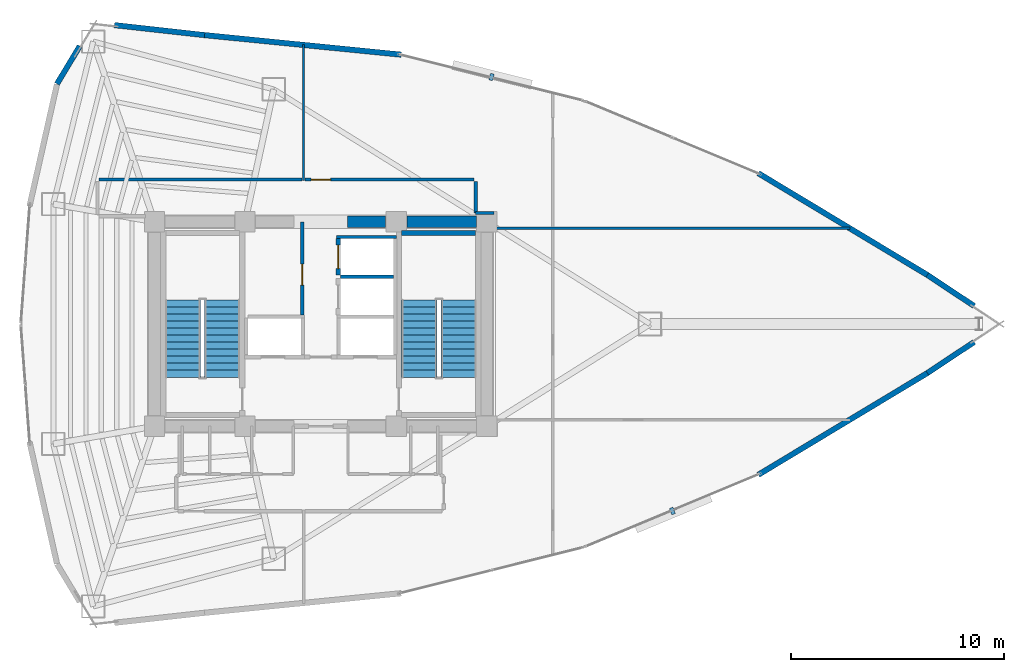
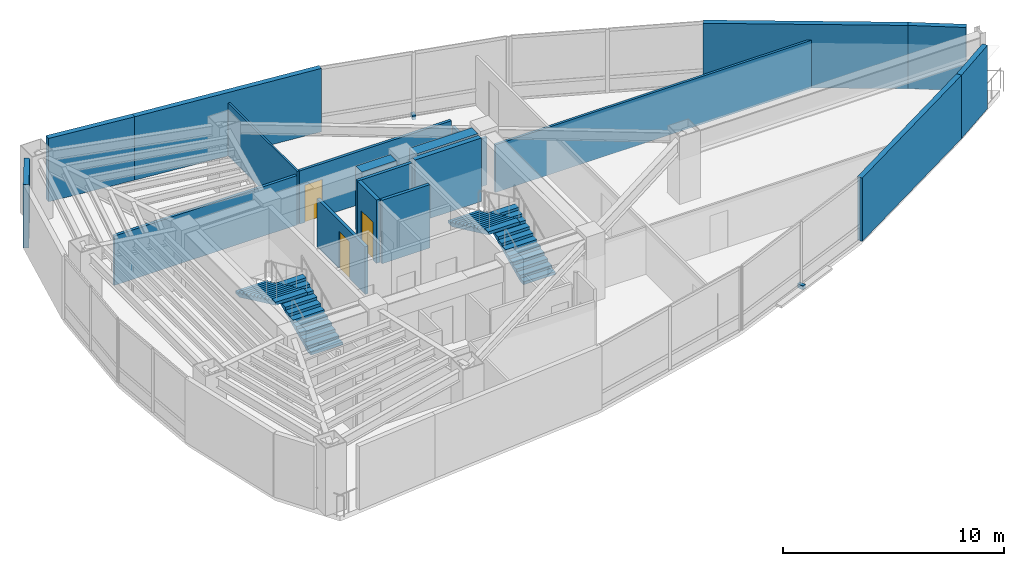
# One storey, part 15 of 17: 20 walls, 4 stair flights, 3 doors, 2 discrete accessories, 3 openings, 2 elements without a shape of their own.
"""IFC4 building model written with IfcOpenShell, lengths in metres."""

import ifcopenshell
import ifcopenshell.guid

model = None  # the IFC model being written
_history = None  # IfcOwnerHistory: only IFC2X3 demands one
_inside = {}  # id of a spatial element -> (the spatial element, [elements in it])
_under = {}  # id of a project, library or spatial element -> (it, [spatial elements below it])
_declared = {}  # id of a project -> (the project, [libraries it declares])
_typed = {}  # id of a type object -> (the type object, [elements of that type])
_made_of = {}  # id of a material, layer set ... -> (it, [elements and type objects made of it])


def new_model(schema):
    """Start an empty IFC model of exactly this schema.

    Asked for "IFC4X3", IfcOpenShell would pick the latest addendum, in which some entities
    have other attributes; the version numbers below select the first issue.
    IFC2X3 requires an IfcOwnerHistory on every rooted entity: one is made here for all.
    """
    global model, _history
    if schema == "IFC4X3":
        model = ifcopenshell.file(schema_version=(4, 3, 0, 0))
    else:
        model = ifcopenshell.file(schema=schema)
    _inside.clear()
    _under.clear()
    _declared.clear()
    _typed.clear()
    _made_of.clear()
    _history = None
    if model.schema == "IFC2X3":
        org = make("IfcOrganization", Name="unknown")
        user = make(
            "IfcPersonAndOrganization",
            ThePerson=make("IfcPerson", FamilyName="unknown"),
            TheOrganization=org,
        )
        app = make(
            "IfcApplication",
            ApplicationDeveloper=org,
            Version="unknown",
            ApplicationFullName="unknown",
            ApplicationIdentifier="unknown",
        )
        _history = make(
            "IfcOwnerHistory",
            OwningUser=user,
            OwningApplication=app,
            ChangeAction="ADDED",
            CreationDate=0,
        )
    return model


def make(cls, **values):
    """One entity of the class cls with the attributes given. An attribute that is None is left unset."""
    return model.create_entity(
        cls, **{name: value for name, value in values.items() if value is not None}
    )


def rooted(cls, **values):
    """An entity with a GlobalId (a new one), such as an element, a storey or a relation."""
    return make(cls, GlobalId=ifcopenshell.guid.new(), OwnerHistory=_history, **values)


def si_unit(unit_type, name, prefix=None):
    """IfcSIUnit, for example si_unit("LENGTHUNIT", "METRE", prefix="MILLI")."""
    return make("IfcSIUnit", UnitType=unit_type, Prefix=prefix, Name=name)


def assignment(units):
    """IfcUnitAssignment: the units of a project."""
    return None if units is None else make("IfcUnitAssignment", Units=units)


def point(xyz):
    """IfcCartesianPoint."""
    return None if xyz is None else make("IfcCartesianPoint", Coordinates=xyz)


def direction(xyz):
    """IfcDirection."""
    return None if xyz is None else make("IfcDirection", DirectionRatios=xyz)


def frame(location, z_axis=None, x_axis=None):
    """IfcAxis2Placement3D, a coordinate frame: its origin and axes. An axis left out is left unset."""
    return make(
        "IfcAxis2Placement3D",
        Location=point(location),
        Axis=direction(z_axis),
        RefDirection=direction(x_axis),
    )


def frame_2d(location, x_axis=None):
    """IfcAxis2Placement2D, a coordinate frame in the plane: its origin and x axis."""
    return make(
        "IfcAxis2Placement2D", Location=point(location), RefDirection=direction(x_axis)
    )


def origin():
    """The frame at (0, 0, 0) with its axes left unset."""
    return frame((0.0, 0.0, 0.0))


def origin_2d():
    """The frame at (0, 0) in the plane with its x axis left unset."""
    return frame_2d((0.0, 0.0))


def place(relative_to, where):
    """IfcLocalPlacement: puts the frame where relative to a parent placement (None: the world)."""
    return make(
        "IfcLocalPlacement", PlacementRelTo=relative_to, RelativePlacement=where
    )


def context(
    kind, dimensions, precision=None, world=None, true_north=None, identifier=None
):
    """IfcGeometricRepresentationContext, for example the 3D "Model" context."""
    return make(
        "IfcGeometricRepresentationContext",
        ContextIdentifier=identifier,
        ContextType=kind,
        CoordinateSpaceDimension=dimensions,
        Precision=precision,
        WorldCoordinateSystem=world,
        TrueNorth=true_north,
    )


def subcontext(parent, identifier, kind, view, scale=None):
    """IfcGeometricRepresentationSubContext, for example "Body" below "Model"."""
    return make(
        "IfcGeometricRepresentationSubContext",
        ContextIdentifier=identifier,
        ContextType=kind,
        ParentContext=parent,
        TargetScale=scale,
        TargetView=view,
    )


def project(units=None, contexts=None):
    """IfcProject with its units and contexts."""
    return rooted(
        "IfcProject",
        Name="project",
        RepresentationContexts=contexts,
        UnitsInContext=assignment(units),
    )


def spatial(cls, under=None, at=None, **own):
    """A site, building, storey or space (cls), placed at a placement, below another one or the project."""
    s = rooted(cls, ObjectPlacement=at, **own)
    if under is not None:
        _under.setdefault(under.id(), (under, []))[1].append(s)
    return s


def polyline(points):
    """IfcPolyline through the points."""
    return make("IfcPolyline", Points=[point(p) for p in points])


def profile(cls, at=None, kind="AREA", **sizes):
    """A parametric profile (cls). Its sizes go by their IFC names, for example OverallWidth=200.0."""
    return make(cls, ProfileType=kind, Position=at, **sizes)


def rectangle(**sizes):
    """IfcRectangleProfileDef."""
    return profile("IfcRectangleProfileDef", **sizes)


def outline(outer, holes=None, kind="AREA"):
    """IfcArbitraryClosedProfileDef: a profile drawn as a closed curve; with holes, ...WithVoids."""
    if holes is None:
        return make("IfcArbitraryClosedProfileDef", ProfileType=kind, OuterCurve=outer)
    return make(
        "IfcArbitraryProfileDefWithVoids",
        ProfileType=kind,
        OuterCurve=outer,
        InnerCurves=holes,
    )


def extrude(swept, where, along, depth):
    """IfcExtrudedAreaSolid: the profile swept, set in the frame where, extruded along a direction by depth."""
    return make(
        "IfcExtrudedAreaSolid",
        SweptArea=swept,
        Position=where,
        ExtrudedDirection=direction(along),
        Depth=depth,
    )


def shape(context_of_items, identifier, shape_type, items):
    """IfcShapeRepresentation: the items that make up one representation, for example the "Body"."""
    return make(
        "IfcShapeRepresentation",
        ContextOfItems=context_of_items,
        RepresentationIdentifier=identifier,
        RepresentationType=shape_type,
        Items=items,
    )


def material(Name=None, Category=None):
    """IfcMaterial."""
    return make("IfcMaterial", Name=Name, Category=Category)


def layer(
    of_material, thickness, ventilated=None, Name=None, Category=None, Priority=None
):
    """IfcMaterialLayer: one layer of a wall or slab, of a material (None: an air gap)."""
    return make(
        "IfcMaterialLayer",
        Material=of_material,
        LayerThickness=thickness,
        IsVentilated=ventilated,
        Name=Name,
        Category=Category,
        Priority=Priority,
    )


def layer_set(layers, Name=None):
    """IfcMaterialLayerSet."""
    return make("IfcMaterialLayerSet", MaterialLayers=layers, LayerSetName=Name)


def made_of(thing, what):
    """Note that an element or type object is made of a material, layer set ...; save() writes the relation."""
    if what is not None:
        _made_of.setdefault(what.id(), (what, []))[1].append(thing)
    return thing


def type_object(cls, material=None, **own):
    """A type object (cls), such as IfcWallType, which elements share."""
    return made_of(rooted(cls, **own), material)


def element(
    cls,
    number,
    at=None,
    inside=None,
    cuts=None,
    type_object=None,
    material=None,
    context=None,
    identifier="Body",
    shape_type=None,
    held_by="IfcProductDefinitionShape",
    body=None,
    shapes=None,
    **own,
):
    """One element of the class cls, such as IfcWall. Its Tag is "e" and its number.

    at: its placement. inside: the storey or other place that contains it. cuts: it is an
    opening in that element (IfcRelVoidsElement). A single representation is given by context,
    identifier, shape_type and body (its items); several are given by shapes. held_by: the class
    of the entity that holds the representations. save() writes the other relations.
    """
    e = rooted(cls, Tag="e%d" % number, ObjectPlacement=at, **own)
    if body is not None:
        shapes = [shape(context, identifier, shape_type, body)]
    if shapes is not None:
        e.Representation = make(held_by, Representations=shapes)
    if inside is not None:
        _inside.setdefault(inside.id(), (inside, []))[1].append(e)
    if cuts is not None:
        rooted(
            "IfcRelVoidsElement", RelatingBuildingElement=cuts, RelatedOpeningElement=e
        )
    if type_object is not None:
        _typed.setdefault(type_object.id(), (type_object, []))[1].append(e)
    return made_of(e, material)


def fill(opening, filler):
    """IfcRelFillsElement: the door or window that sits in an opening."""
    return rooted(
        "IfcRelFillsElement",
        RelatingOpeningElement=opening,
        RelatedBuildingElement=filler,
    )


def aggregate(whole, parts):
    """IfcRelAggregates: a whole, such as a stair, and the parts it consists of."""
    return rooted("IfcRelAggregates", RelatingObject=whole, RelatedObjects=parts)


def save(model, path):
    """Write the relations noted so far, then the file.

    IfcRelAggregates (storeys below a building ...), IfcRelContainedInSpatialStructure (elements
    in a storey), IfcRelDefinesByType, IfcRelAssociatesMaterial and IfcRelDeclares: one each for
    every whole, place, type object, material and project.
    """
    for whole, parts in _under.values():
        aggregate(whole, parts)
    for where, things in _inside.values():
        rooted(
            "IfcRelContainedInSpatialStructure",
            RelatedElements=things,
            RelatingStructure=where,
        )
    for kind, things in _typed.values():
        rooted("IfcRelDefinesByType", RelatedObjects=things, RelatingType=kind)
    for what, things in _made_of.values():
        rooted("IfcRelAssociatesMaterial", RelatedObjects=things, RelatingMaterial=what)
    for by, libraries in _declared.values():
        rooted("IfcRelDeclares", RelatingContext=by, RelatedDefinitions=libraries)
    model.write(path)


model = new_model("IFC4")

# Units and contexts
model_context = context("Model", 3, precision=1e-05, world=origin(), true_north=direction((0.0, 1.0)))
body_context = subcontext(model_context, "Body", "Model", "MODEL_VIEW")
ifc_project = project(units=[si_unit("LENGTHUNIT", "METRE"), si_unit("AREAUNIT", "SQUARE_METRE"), si_unit("VOLUMEUNIT", "CUBIC_METRE"), si_unit("PLANEANGLEUNIT", "RADIAN"), si_unit("MASSUNIT", "GRAM", prefix="KILO")], contexts=[model_context])

# Site, building, storey
site_placement = place(None, origin())
site = spatial("IfcSite", under=ifc_project, at=site_placement, CompositionType="ELEMENT")
building_placement = place(site_placement, origin())
building = spatial("IfcBuilding", under=site, at=building_placement, Name="Menara Vayukalpa", CompositionType="ELEMENT")
storey_placement = place(building_placement, frame((0.0, 0.0, 154.320068359375)))
storey = spatial("IfcBuildingStorey", under=building, at=storey_placement, Name="L38", CompositionType="ELEMENT", Elevation=154.320068359375)

# Walls
ifc_material_1 = material(Name="Concrete C60/75", Category="concrete")
ifc_layer_1 = layer(ifc_material_1, 0.550048828125)
ifc_layer_set_1 = layer_set([ifc_layer_1], Name="Concrete C60/75")
wall_type_1 = type_object("IfcWallType", Name="WAL-CW550", PredefinedType="SHEAR", material=ifc_layer_set_1)
wall_1_placement = place(storey_placement, frame((26.85009765625, 26.800048828125, 0.0), z_axis=(0.0, 0.0, 1.0), x_axis=(1.0, 0.0, 0.0)))
element("IfcWall", 1, at=wall_1_placement, inside=storey, type_object=wall_type_1, Name="L38 Buttressed Core Shear Wall CWN3", PredefinedType="SHEAR", context=body_context, shape_type="SweptSolid", body=[
    extrude(rectangle(XDim=1.804931640625, YDim=0.550048828125, at=frame_2d((0.90234375, 0.0))), origin(), (0.0, 0.0, 1.0), 3.5),
])
wall_2_placement = place(storey_placement, frame((29.64501953125, 26.800048828125, 0.0), z_axis=(0.0, 0.0, 1.0), x_axis=(1.0, 0.0, 0.0)))
element("IfcWall", 2, at=wall_2_placement, inside=storey, type_object=wall_type_1, Name="L38 Buttressed Core Shear Wall CWN4", PredefinedType="SHEAR", context=body_context, shape_type="SweptSolid", body=[
    extrude(rectangle(XDim=3.260009765625, YDim=0.550048828125, at=frame_2d((1.6298828125, 0.0))), origin(), (0.0, 0.0, 1.0), 3.5),
])
ifc_material_2 = material(Name="Insulated Precast Concrete C40/50", Category="concrete")
ifc_layer_2 = layer(ifc_material_2, 0.260009765625)
ifc_layer_set_2 = layer_set([ifc_layer_2], Name="Insulated Precast Concrete C40/50")
wall_type_2 = type_object("IfcWallType", Name="WAL-EXT260", PredefinedType="PARTITIONING", material=ifc_layer_set_2)
for number, where, z_axis, x_axis, name in (
    (3, (56.278076171875, 21.154541015625, 0.0), (0.0, 0.0, 1.0), (-0.833145530287, -0.553053817782, 0.0), "L38 Perimeter Terracotta Pier Wall 01"),
    (4, (54.081298828125, 24.3037109375, 0.0), (0.0, 0.0, 1.0), (0.833145530287, -0.553053817782, 0.0), "L38 Perimeter Terracotta Pier Wall 02"),
):
    element("IfcWall", number, at=place(storey_placement, frame(where, z_axis=z_axis, x_axis=x_axis)), inside=storey, type_object=wall_type_2, Name=name, PredefinedType="PARTITIONING", context=body_context, shape_type="SweptSolid", body=[
        extrude(rectangle(XDim=2.63671875, YDim=0.260009765625, at=frame_2d((1.318359375, 0.0))), origin(), (0.0, 0.0, 1.0), 3.5),
    ])
wall_3_placement = place(storey_placement, frame((46.14111328125, 29.08203125, 0.0), z_axis=(0.0, 0.0, 1.0), x_axis=(0.856788694159, -0.515667658053, 0.0)))
element("IfcWall", 5, at=wall_3_placement, inside=storey, type_object=wall_type_2, Name="L38 Perimeter Terracotta Pier Wall 03", PredefinedType="PARTITIONING", context=body_context, shape_type="SweptSolid", body=[
    extrude(rectangle(XDim=9.279052734375, YDim=0.260009765625, at=frame_2d((4.6396484375, 0.0))), origin(), (0.0, 0.0, 1.0), 3.5),
])
wall_4_placement = place(storey_placement, frame((20.141357421875, 35.564697265625, 0.0), z_axis=(0.0, 0.0, 1.0), x_axis=(0.9950896707, -0.098977508888, 0.0)))
element("IfcWall", 6, at=wall_4_placement, inside=storey, type_object=wall_type_2, Name="L38 Perimeter Terracotta Pier Wall 06", PredefinedType="PARTITIONING", context=body_context, shape_type="SweptSolid", body=[
    extrude(rectangle(XDim=9.279541015625, YDim=0.260009765625, at=frame_2d((4.6396484375, 0.0))), origin(), (0.0, 0.0, 1.0), 3.5),
])
wall_5_placement = place(storey_placement, frame((15.92138671875, 36.031494140625, 0.0), z_axis=(0.0, 0.0, 1.0), x_axis=(0.993933978819, -0.109978387641, 0.0)))
element("IfcWall", 7, at=wall_5_placement, inside=storey, type_object=wall_type_2, Name="L38 Perimeter Terracotta Pier Wall 07", PredefinedType="PARTITIONING", context=body_context, shape_type="SweptSolid", body=[
    extrude(rectangle(XDim=4.2578125, YDim=0.260009765625, at=frame_2d((2.12890625, 0.0))), origin(), (0.0, 0.0, 1.0), 3.5),
])
wall_6_placement = place(storey_placement, frame((13.22119140625, 33.272216796875, 0.0), z_axis=(0.0, 0.0, 1.0), x_axis=(0.516157331647, 0.856493788061, 0.0)))
element("IfcWall", 8, at=wall_6_placement, inside=storey, type_object=wall_type_2, Name="L38 Perimeter Terracotta Pier Wall 08", PredefinedType="PARTITIONING", context=body_context, shape_type="SweptSolid", body=[
    extrude(rectangle(XDim=2.0732421875, YDim=0.260009765625, at=frame_2d((1.03662109375, 0.0))), origin(), (0.0, 0.0, 1.0), 3.5),
])
wall_7_placement = place(storey_placement, frame((54.09130859375, 19.702880859375, 0.0), z_axis=(0.0, 0.0, 1.0), x_axis=(-0.856788694159, -0.515667658053, 0.0)))
element("IfcWall", 9, at=wall_7_placement, inside=storey, type_object=wall_type_2, Name="L38 Perimeter Terracotta Pier Wall 18", PredefinedType="PARTITIONING", context=body_context, shape_type="SweptSolid", body=[
    extrude(rectangle(XDim=9.279052734375, YDim=0.260009765625, at=frame_2d((4.6396484375, 0.0))), origin(), (0.0, 0.0, 1.0), 3.5),
])
ifc_material_3 = material(Name="Lightweight Concrete Blockwork C16/20", Category="masonry")
ifc_layer_3 = layer(ifc_material_3, 0.159912109375)
ifc_layer_set_3 = layer_set([ifc_layer_3], Name="Lightweight Concrete Blockwork C16/20")
wall_type_3 = type_object("IfcWallType", Name="WAL-FR150", PredefinedType="PARTITIONING", material=ifc_layer_set_3)
wall_8_placement = place(storey_placement, frame((26.530029296875, 24.215087890625, 0.0), z_axis=(0.0, 0.0, 1.0), x_axis=(1.0, 0.0, 0.0)))
element("IfcWall", 10, at=wall_8_placement, inside=storey, type_object=wall_type_3, Name="L38 Interior Partition IW-L38-SHM-E32", PredefinedType="PARTITIONING", context=body_context, shape_type="SweptSolid", body=[
    extrude(rectangle(XDim=2.489990234375, YDim=0.159912109375, at=frame_2d((1.2451171875, 0.0))), origin(), (0.0, 0.0, 1.0), 3.5),
])
wall_9_placement = place(storey_placement, frame((26.340087890625, 26.0849609375, 0.0), z_axis=(0.0, 0.0, 1.0), x_axis=(1.0, 0.0, 0.0)))
element("IfcWall", 11, at=wall_9_placement, inside=storey, type_object=wall_type_3, Name="L38 Interior Partition IW-L38-SHM-E2N", PredefinedType="PARTITIONING", context=body_context, shape_type="SweptSolid", body=[
    extrude(rectangle(XDim=2.829833984375, YDim=0.159912109375, at=frame_2d((1.4150390625, 0.0))), origin(), (0.0, 0.0, 1.0), 3.5),
])

# Wall, opening, door
wall_10_placement = place(storey_placement, frame((24.739990234375, 22.429931640625, 0.0), z_axis=(0.0, 0.0, 1.0), x_axis=(0.0, 1.0, 0.0)))
wall_10 = element("IfcWall", 12, at=wall_10_placement, inside=storey, type_object=wall_type_3, Name="L38 Interior Partition IW-L38-LV7W", PredefinedType="PARTITIONING", context=body_context, shape_type="SweptSolid", body=[
    extrude(rectangle(XDim=4.3701171875, YDim=0.159912109375, at=frame_2d((2.18505859375, 0.0))), origin(), (0.0, 0.0, 1.0), 2.6298828125),
])
opening_1_placement = place(wall_10_placement, frame((1.39990234375, 0.0, 0.0)))
opening_1 = element("IfcOpeningElement", 13, at=opening_1_placement, cuts=wall_10, Name="Opening ID3", PredefinedType="OPENING", context=body_context, shape_type="SweptSolid", body=[
    extrude(rectangle(XDim=0.97998046875, YDim=2.06005859375, at=frame_2d((0.489990234375, 1.030029296875))), frame((0.0, 0.08984375, 0.0), z_axis=(0.0, -1.0, 0.0), x_axis=(1.0, 0.0, 0.0)), (0.0, 0.0, 1.0), 0.179931640625),
])
ifc_material_4 = material(Name="Fire-Rated Powder-Coated Steel Door", Category="steel")
door_type_1 = type_object("IfcDoorType", Name="DR-FD60", OperationType="NOTDEFINED", PredefinedType="DOOR", material=ifc_material_4)
door_1_placement = place(opening_1_placement, origin())
door_1 = element("IfcDoor", 14, at=door_1_placement, inside=storey, type_object=door_type_1, Name="L38 Interior Door DR-L38-LV7W", OperationType="SINGLE_SWING_RIGHT", OverallHeight=2.06005859375, OverallWidth=0.97998046875, PredefinedType="DOOR", context=body_context, shape_type="SweptSolid", body=[
    extrude(rectangle(XDim=0.97998046875, YDim=2.06005859375, at=frame_2d((0.489990234375, 1.030029296875))), frame((0.0, 0.02490234375, 0.0), z_axis=(0.0, -1.0, 0.0), x_axis=(1.0, 0.0, 0.0)), (0.0, 0.0, 1.0), 0.050048828125),
])
fill(opening_1, door_1)

ifc_material_5 = material(Name="Lightweight Concrete Blockwork C16/20", Category="masonry")
ifc_layer_4 = layer(ifc_material_5, 0.199951171875)
ifc_layer_set_4 = layer_set([ifc_layer_4], Name="Lightweight Concrete Blockwork C16/20")
wall_type_4 = type_object("IfcWallType", Name="WAL-FR200", PredefinedType="PARTITIONING", material=ifc_layer_set_4)
wall_11_placement = place(storey_placement, frame((26.419921875, 24.2900390625, 0.0), z_axis=(0.0, 0.0, 1.0), x_axis=(0.0, 1.0, 0.0)))
wall_11 = element("IfcWall", 15, at=wall_11_placement, inside=storey, type_object=wall_type_4, Name="L38 Interior Partition IW-L38-SH-E2", PredefinedType="PARTITIONING", context=body_context, shape_type="SweptSolid", body=[
    extrude(rectangle(XDim=1.719970703125, YDim=0.199951171875, at=frame_2d((0.85986328125, 0.0))), origin(), (0.0, 0.0, 1.0), 3.5),
])
opening_2_placement = place(wall_11_placement, frame((0.31005859375, 0.0, 0.0)))
opening_2 = element("IfcOpeningElement", 16, at=opening_2_placement, cuts=wall_11, Name="Opening LD1", PredefinedType="OPENING", context=body_context, shape_type="SweptSolid", body=[
    extrude(rectangle(XDim=1.10009765625, YDim=2.080078125, at=frame_2d((0.550048828125, 1.0400390625))), frame((0.0, 0.10986328125, 0.0), z_axis=(0.0, -1.0, 0.0), x_axis=(1.0, 0.0, 0.0)), (0.0, 0.0, 1.0), 0.219970703125),
])
ifc_material_6 = material(Name="Brushed Stainless Steel 316 Lift Door", Category="steel")
door_type_2 = type_object("IfcDoorType", Name="DR-LD110", OperationType="NOTDEFINED", PredefinedType="DOOR", material=ifc_material_6)
door_2_placement = place(opening_2_placement, origin())
door_2 = element("IfcDoor", 17, at=door_2_placement, inside=storey, type_object=door_type_2, Name="L38 Interior Door DR-L38-LD-E2", OperationType="DOUBLE_DOOR_SLIDING", OverallHeight=2.080078125, OverallWidth=1.10009765625, PredefinedType="DOOR", context=body_context, shape_type="SweptSolid", body=[
    extrude(rectangle(XDim=1.10009765625, YDim=2.080078125, at=frame_2d((0.550048828125, 1.0400390625))), frame((0.0, 0.02490234375, 0.0), z_axis=(0.0, -1.0, 0.0), x_axis=(1.0, 0.0, 0.0)), (0.0, 0.0, 1.0), 0.050048828125),
])
fill(opening_2, door_2)

# Walls
ifc_material_7 = material(Name="Glazed Demountable Office Partition", Category="glass")
ifc_layer_5 = layer(ifc_material_7, 0.094970703125)
ifc_layer_set_5 = layer_set([ifc_layer_5], Name="Glazed Demountable Office Partition")
wall_type_5 = type_object("IfcWallType", Name="WAL-PT100", PredefinedType="PARTITIONING", material=ifc_layer_set_5)
wall_12_placement = place(storey_placement, frame((24.800048828125, 28.72998046875, 0.0), z_axis=(0.0, 0.0, 1.0), x_axis=(0.0, 1.0, 0.0)))
element("IfcWall", 18, at=wall_12_placement, inside=storey, type_object=wall_type_5, Name="L38 Interior Partition IW-L38-RDIV02", PredefinedType="PARTITIONING", context=body_context, shape_type="SweptSolid", body=[
    extrude(rectangle(XDim=6.38134765625, YDim=0.094970703125, at=frame_2d((3.190673828125, 0.0))), origin(), (0.0, 0.0, 1.0), 2.929931640625),
])
ifc_material_8 = material(Name="Gypsum Drywall Steel Stud Assembly", Category="steel")
ifc_layer_6 = layer(ifc_material_8, 0.125)
ifc_layer_set_6 = layer_set([ifc_layer_6], Name="Gypsum Drywall Steel Stud Assembly")
wall_type_6 = type_object("IfcWallType", Name="WAL-PT125", PredefinedType="PARTITIONING", material=ifc_layer_set_6)
wall_13_placement = place(storey_placement, frame((33.77001953125, 26.5, 0.0), z_axis=(0.0, 0.0, 1.0), x_axis=(1.0, 0.0, 0.0)))
element("IfcWall", 19, at=wall_13_placement, inside=storey, type_object=wall_type_6, Name="L38 Interior Partition IW-L38-RDIV05", PredefinedType="PARTITIONING", context=body_context, shape_type="SweptSolid", body=[
    extrude(rectangle(XDim=16.6806640625, YDim=0.125, at=frame_2d((8.34033203125, 0.0))), origin(), (0.0, 0.0, 1.0), 2.6298828125),
])
ifc_material_9 = material(Name="Gypsum Drywall Acoustic Stud Assembly", Category="masonry")
ifc_layer_7 = layer(ifc_material_9, 0.14501953125)
ifc_layer_set_7 = layer_set([ifc_layer_7], Name="Gypsum Drywall Acoustic Stud Assembly")
wall_type_7 = type_object("IfcWallType", Name="WAL-PT150", PredefinedType="PARTITIONING", material=ifc_layer_set_7)
wall_14_placement = place(storey_placement, frame((33.739990234375, 27.219970703125, 0.0), z_axis=(0.0, 0.0, 1.0), x_axis=(-1.0, 0.0, 0.0)))
element("IfcWall", 20, at=wall_14_placement, inside=storey, type_object=wall_type_7, Name="L38 Interior Partition IW-L38-CRM06-1", PredefinedType="PARTITIONING", context=body_context, shape_type="SweptSolid", body=[
    extrude(rectangle(XDim=0.860107421875, YDim=0.14501953125, at=frame_2d((0.43017578125, 0.0))), origin(), (0.0, 0.0, 1.0), 2.6298828125),
])
wall_15_placement = place(storey_placement, frame((32.8798828125, 27.219970703125, 0.0), z_axis=(0.0, 0.0, 1.0), x_axis=(0.0, 1.0, 0.0)))
element("IfcWall", 21, at=wall_15_placement, inside=storey, type_object=wall_type_7, Name="L38 Interior Partition IW-L38-CRM06-2", PredefinedType="PARTITIONING", context=body_context, shape_type="SweptSolid", body=[
    extrude(rectangle(XDim=1.47998046875, YDim=0.14501953125, at=frame_2d((0.739990234375, 0.0))), origin(), (0.0, 0.0, 1.0), 2.6298828125),
])

# Wall, opening, door
wall_16_placement = place(storey_placement, frame((32.800048828125, 28.780029296875, 0.0), z_axis=(0.0, 0.0, 1.0), x_axis=(-1.0, 0.0, 0.0)))
wall_16 = element("IfcWall", 22, at=wall_16_placement, inside=storey, type_object=wall_type_7, Name="L38 Interior Partition IW-L38-CRM06-3", PredefinedType="PARTITIONING", context=body_context, shape_type="SweptSolid", body=[
    extrude(rectangle(XDim=7.929931640625, YDim=0.14501953125, at=frame_2d((3.96484375, 0.0))), origin(), (0.0, 0.0, 1.0), 2.929931640625),
])
opening_3_placement = place(wall_16_placement, frame((6.72998046875, 0.0, 0.0)))
opening_3 = element("IfcOpeningElement", 23, at=opening_3_placement, cuts=wall_16, Name="Opening ID6", PredefinedType="OPENING", context=body_context, shape_type="SweptSolid", body=[
    extrude(rectangle(XDim=0.919921875, YDim=2.050048828125, at=frame_2d((0.4599609375, 1.02490234375))), frame((0.0, 0.08251953125, 0.0), z_axis=(0.0, -1.0, 0.0), x_axis=(1.0, 0.0, 0.0)), (0.0, 0.0, 1.0), 0.1650390625),
])
ifc_material_10 = material(Name="Acoustic Hardwood Veneer Timber Door", Category="wood")
door_type_3 = type_object("IfcDoorType", Name="DR-INT92", OperationType="NOTDEFINED", PredefinedType="DOOR", material=ifc_material_10)
door_3_placement = place(opening_3_placement, origin())
door_3 = element("IfcDoor", 24, at=door_3_placement, inside=storey, type_object=door_type_3, Name="L38 Interior Door DR-L38-RM06", OperationType="SINGLE_SWING_LEFT", OverallHeight=2.050048828125, OverallWidth=0.919921875, PredefinedType="DOOR", context=body_context, shape_type="SweptSolid", body=[
    extrude(rectangle(XDim=0.919921875, YDim=2.050048828125, at=frame_2d((0.4599609375, 1.02490234375))), frame((0.0, 0.02490234375, 0.0), z_axis=(0.0, -1.0, 0.0), x_axis=(1.0, 0.0, 0.0)), (0.0, 0.0, 1.0), 0.050048828125),
])
fill(opening_3, door_3)

# Walls
wall_17_placement = place(storey_placement, frame((24.72998046875, 28.780029296875, 0.0), z_axis=(0.0, 0.0, 1.0), x_axis=(-1.0, 0.0, 0.0)))
element("IfcWall", 25, at=wall_17_placement, inside=storey, type_object=wall_type_7, Name="L38 Interior Partition IW-L38-CRM07-1", PredefinedType="PARTITIONING", context=body_context, shape_type="SweptSolid", body=[
    extrude(rectangle(XDim=9.530029296875, YDim=0.14501953125, at=frame_2d((4.76513671875, 0.0))), origin(), (0.0, 0.0, 1.0), 2.72998046875),
])
ifc_material_11 = material(Name="Concrete C50/60", Category="concrete")
ifc_layer_8 = layer(ifc_material_11, 0.25)
ifc_layer_set_8 = layer_set([ifc_layer_8], Name="Concrete C50/60")
wall_type_8 = type_object("IfcWallType", Name="WAL-SW250", PredefinedType="SHEAR", material=ifc_layer_set_8)
wall_18_placement = place(storey_placement, frame((29.39990234375, 26.27490234375, 0.0), z_axis=(0.0, 0.0, 1.0), x_axis=(1.0, 0.0, 0.0)))
element("IfcWall", 26, at=wall_18_placement, inside=storey, type_object=wall_type_8, Name="L38 ST2 Structural Stair Shaft Wall N", PredefinedType="SHEAR", context=body_context, shape_type="SweptSolid", body=[
    extrude(rectangle(XDim=3.47119140625, YDim=0.25, at=frame_2d((1.735595703125, 0.0))), origin(), (0.0, 0.0, 1.0), 3.5),
])

# Stair, stair flights
ifc_material_12 = material(Name="Precast Concrete C40/50", Category="concrete")
stair_type = type_object("IfcStairType", Name="STR-T04", PredefinedType="DOUBLE_RETURN_STAIR", material=ifc_material_12)
stair_1_placement = place(storey_placement, origin())
stair_1 = element("IfcStair", 27, at=stair_1_placement, inside=storey, type_object=stair_type, Name="L38 Core Exit Stair ST-1", PredefinedType="DOUBLE_RETURN_STAIR")
ifc_material_13 = material(Name="Precast Concrete C40/50", Category="concrete")
stair_flight_type = type_object("IfcStairFlightType", Name="STF-T04", PredefinedType="STRAIGHT", material=ifc_material_13)
stair_flight_1_placement = place(storey_placement, frame((20.97509765625, 19.5, 0.0), z_axis=(0.0, 0.0, 1.0), x_axis=(0.0, 1.0, 0.0)))
stair_flight_1 = element("IfcStairFlight", 28, at=stair_flight_1_placement, type_object=stair_flight_type, Name="ST-1 flight 1", NumberOfRisers=12, NumberOfTreads=11, PredefinedType="STRAIGHT", RiserHeight=0.155, TreadLength=0.33, context=body_context, shape_type="SweptSolid", body=[
    extrude(outline(polyline([(0.0, 0.0), (0.0, 0.155029296875), (0.330078125, 0.155029296875), (0.330078125, 0.31005859375), (0.659912109375, 0.31005859375), (0.659912109375, 0.465087890625), (0.989990234375, 0.465087890625), (0.989990234375, 0.6201171875), (1.320068359375, 0.6201171875), (1.320068359375, 0.77490234375), (1.64990234375, 0.77490234375), (1.64990234375, 0.929931640625), (1.97998046875, 0.929931640625), (1.97998046875, 1.0849609375), (2.31005859375, 1.0849609375), (2.31005859375, 1.239990234375), (2.639892578125, 1.239990234375), (2.639892578125, 1.39501953125), (2.969970703125, 1.39501953125), (2.969970703125, 1.550048828125), (3.300048828125, 1.550048828125), (3.300048828125, 1.705078125), (3.6298828125, 1.705078125), (3.6298828125, 1.860107421875), (3.6298828125, 1.539306640625), (0.3525390625, 0.0), (0.0, 0.0)])), frame((0.0, 0.824951171875, 0.0), z_axis=(0.0, -1.0, 0.0), x_axis=(1.0, 0.0, 0.0)), (0.0, 0.0, 1.0), 1.64990234375),
])
stair_flight_2_placement = place(storey_placement, frame((19.125, 23.1298828125, 1.85986328125), z_axis=(0.0, 0.0, 1.0), x_axis=(0.0, -1.0, 0.0)))
stair_flight_2 = element("IfcStairFlight", 29, at=stair_flight_2_placement, type_object=stair_flight_type, Name="ST-1 flight 2", NumberOfRisers=12, NumberOfTreads=11, PredefinedType="STRAIGHT", RiserHeight=0.155, TreadLength=0.33, context=body_context, shape_type="SweptSolid", body=[
    extrude(outline(polyline([(0.0, 0.0), (0.0, 0.155029296875), (0.330078125, 0.155029296875), (0.330078125, 0.31005859375), (0.659912109375, 0.31005859375), (0.659912109375, 0.465087890625), (0.989990234375, 0.465087890625), (0.989990234375, 0.6201171875), (1.320068359375, 0.6201171875), (1.320068359375, 0.77490234375), (1.64990234375, 0.77490234375), (1.64990234375, 0.929931640625), (1.97998046875, 0.929931640625), (1.97998046875, 1.0849609375), (2.31005859375, 1.0849609375), (2.31005859375, 1.239990234375), (2.639892578125, 1.239990234375), (2.639892578125, 1.39501953125), (2.969970703125, 1.39501953125), (2.969970703125, 1.550048828125), (3.300048828125, 1.550048828125), (3.300048828125, 1.705078125), (3.6298828125, 1.705078125), (3.6298828125, 1.860107421875), (3.6298828125, 1.539306640625), (0.3525390625, 0.0), (0.0, 0.0)])), frame((0.0, 0.824951171875, 0.0), z_axis=(0.0, -1.0, 0.0), x_axis=(1.0, 0.0, 0.0)), (0.0, 0.0, 1.0), 1.64990234375),
])
aggregate(stair_1, [stair_flight_1, stair_flight_2])

stair_2_placement = place(storey_placement, origin())
stair_2 = element("IfcStair", 30, at=stair_2_placement, inside=storey, type_object=stair_type, Name="L38 Core Exit Stair ST-2", PredefinedType="DOUBLE_RETURN_STAIR")
stair_flight_3_placement = place(storey_placement, frame((32.074951171875, 19.5, 0.0), z_axis=(0.0, 0.0, 1.0), x_axis=(0.0, 1.0, 0.0)))
stair_flight_3 = element("IfcStairFlight", 31, at=stair_flight_3_placement, type_object=stair_flight_type, Name="ST-2 flight 1", NumberOfRisers=12, NumberOfTreads=11, PredefinedType="STRAIGHT", RiserHeight=0.155, TreadLength=0.33, context=body_context, shape_type="SweptSolid", body=[
    extrude(outline(polyline([(0.0, 0.0), (0.0, 0.155029296875), (0.330078125, 0.155029296875), (0.330078125, 0.31005859375), (0.659912109375, 0.31005859375), (0.659912109375, 0.465087890625), (0.989990234375, 0.465087890625), (0.989990234375, 0.6201171875), (1.320068359375, 0.6201171875), (1.320068359375, 0.77490234375), (1.64990234375, 0.77490234375), (1.64990234375, 0.929931640625), (1.97998046875, 0.929931640625), (1.97998046875, 1.0849609375), (2.31005859375, 1.0849609375), (2.31005859375, 1.239990234375), (2.639892578125, 1.239990234375), (2.639892578125, 1.39501953125), (2.969970703125, 1.39501953125), (2.969970703125, 1.550048828125), (3.300048828125, 1.550048828125), (3.300048828125, 1.705078125), (3.6298828125, 1.705078125), (3.6298828125, 1.860107421875), (3.6298828125, 1.539306640625), (0.3525390625, 0.0), (0.0, 0.0)])), frame((0.0, 0.824951171875, 0.0), z_axis=(0.0, -1.0, 0.0), x_axis=(1.0, 0.0, 0.0)), (0.0, 0.0, 1.0), 1.64990234375),
])
stair_flight_4_placement = place(storey_placement, frame((30.22509765625, 23.1298828125, 1.85986328125), z_axis=(0.0, 0.0, 1.0), x_axis=(0.0, -1.0, 0.0)))
stair_flight_4 = element("IfcStairFlight", 32, at=stair_flight_4_placement, type_object=stair_flight_type, Name="ST-2 flight 2", NumberOfRisers=12, NumberOfTreads=11, PredefinedType="STRAIGHT", RiserHeight=0.155, TreadLength=0.33, context=body_context, shape_type="SweptSolid", body=[
    extrude(outline(polyline([(0.0, 0.0), (0.0, 0.155029296875), (0.330078125, 0.155029296875), (0.330078125, 0.31005859375), (0.659912109375, 0.31005859375), (0.659912109375, 0.465087890625), (0.989990234375, 0.465087890625), (0.989990234375, 0.6201171875), (1.320068359375, 0.6201171875), (1.320068359375, 0.77490234375), (1.64990234375, 0.77490234375), (1.64990234375, 0.929931640625), (1.97998046875, 0.929931640625), (1.97998046875, 1.0849609375), (2.31005859375, 1.0849609375), (2.31005859375, 1.239990234375), (2.639892578125, 1.239990234375), (2.639892578125, 1.39501953125), (2.969970703125, 1.39501953125), (2.969970703125, 1.550048828125), (3.300048828125, 1.550048828125), (3.300048828125, 1.705078125), (3.6298828125, 1.705078125), (3.6298828125, 1.860107421875), (3.6298828125, 1.539306640625), (0.3525390625, 0.0), (0.0, 0.0)])), frame((0.0, 0.824951171875, 0.0), z_axis=(0.0, -1.0, 0.0), x_axis=(1.0, 0.0, 0.0)), (0.0, 0.0, 1.0), 1.64990234375),
])
aggregate(stair_2, [stair_flight_3, stair_flight_4])

# Discrete accessories
ifc_material_14 = material(Name="Stainless Steel 316 Sunshade Bracket", Category="steel")
discrete_accessory_type = type_object("IfcDiscreteAccessoryType", Name="ACC-BRK1", PredefinedType="BRACKET", material=ifc_material_14)
for number, where, z_axis, x_axis, name in (
    (33, (33.62109375, 33.596435546875, -0.16015625), (0.0, 0.0, 1.0), (-0.969999438853, 0.243107154615, 0.0), "L38 Terracotta Sunshade Bracket 05"),
    (34, (42.110107421875, 13.220947265625, -0.16015625), (0.0, 0.0, 1.0), (0.922881225826, 0.38508472187, 0.0), "L38 Terracotta Sunshade Bracket 17"),
):
    element("IfcDiscreteAccessory", number, at=place(storey_placement, frame(where, z_axis=z_axis, x_axis=x_axis)), inside=storey, type_object=discrete_accessory_type, Name=name, PredefinedType="BRACKET", context=body_context, shape_type="SweptSolid", body=[
        extrude(rectangle(XDim=0.179931640625, YDim=0.320068359375, at=origin_2d()), origin(), (0.0, 0.0, 1.0), 0.219970703125),
    ])

save(model, "model.ifc")
